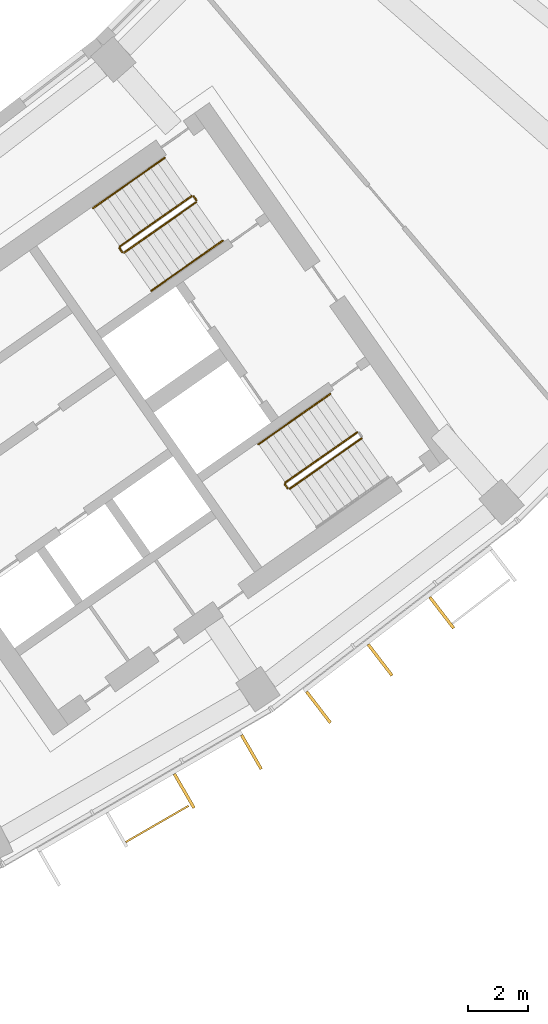
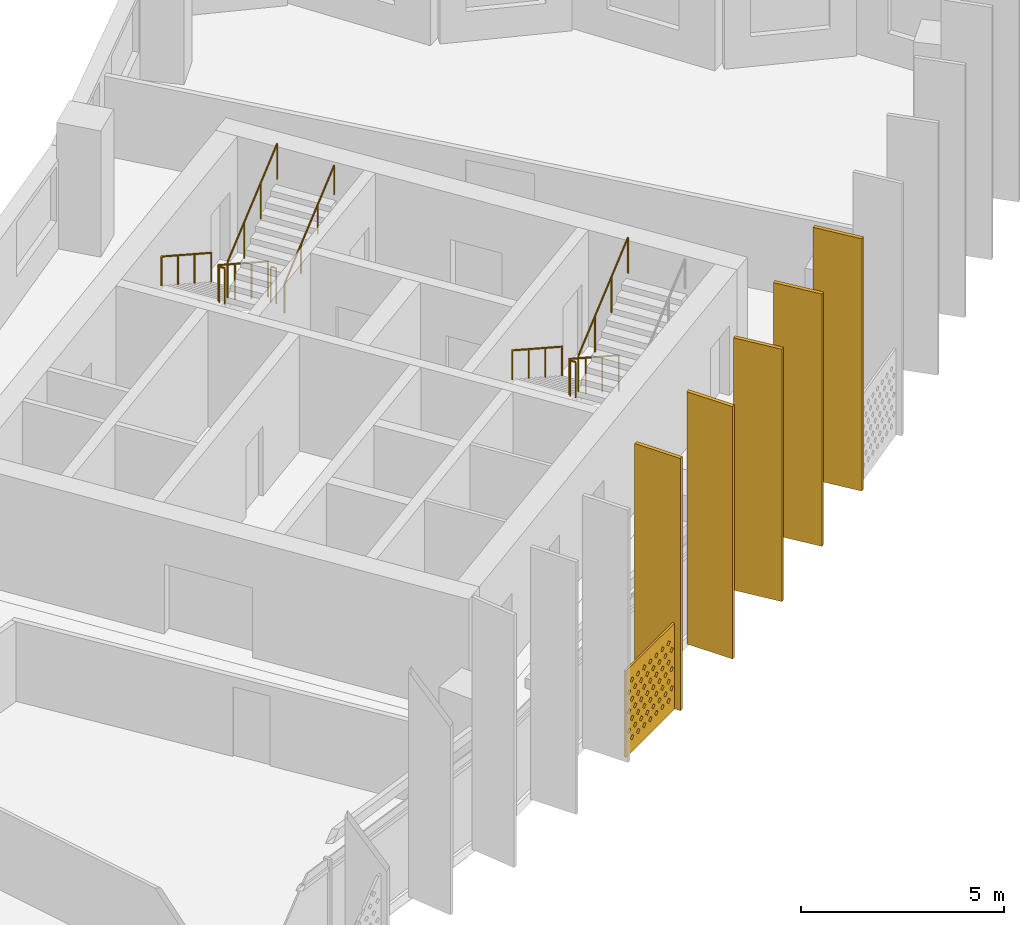
# One storey, part 27 of 28: 8 railings, 6 shading devices.
"""IFC4 building model written with IfcOpenShell, lengths in metres."""

import ifcopenshell
import ifcopenshell.guid

model = None  # the IFC model being written
_history = None  # IfcOwnerHistory: only IFC2X3 demands one
_inside = {}  # id of a spatial element -> (the spatial element, [elements in it])
_under = {}  # id of a project, library or spatial element -> (it, [spatial elements below it])
_declared = {}  # id of a project -> (the project, [libraries it declares])
_typed = {}  # id of a type object -> (the type object, [elements of that type])
_made_of = {}  # id of a material, layer set ... -> (it, [elements and type objects made of it])


def new_model(schema):
    """Start an empty IFC model of exactly this schema.

    Asked for "IFC4X3", IfcOpenShell would pick the latest addendum, in which some entities
    have other attributes; the version numbers below select the first issue.
    IFC2X3 requires an IfcOwnerHistory on every rooted entity: one is made here for all.
    """
    global model, _history
    if schema == "IFC4X3":
        model = ifcopenshell.file(schema_version=(4, 3, 0, 0))
    else:
        model = ifcopenshell.file(schema=schema)
    _inside.clear()
    _under.clear()
    _declared.clear()
    _typed.clear()
    _made_of.clear()
    _history = None
    if model.schema == "IFC2X3":
        org = make("IfcOrganization", Name="unknown")
        user = make(
            "IfcPersonAndOrganization",
            ThePerson=make("IfcPerson", FamilyName="unknown"),
            TheOrganization=org,
        )
        app = make(
            "IfcApplication",
            ApplicationDeveloper=org,
            Version="unknown",
            ApplicationFullName="unknown",
            ApplicationIdentifier="unknown",
        )
        _history = make(
            "IfcOwnerHistory",
            OwningUser=user,
            OwningApplication=app,
            ChangeAction="ADDED",
            CreationDate=0,
        )
    return model


def make(cls, **values):
    """One entity of the class cls with the attributes given. An attribute that is None is left unset."""
    return model.create_entity(
        cls, **{name: value for name, value in values.items() if value is not None}
    )


def rooted(cls, **values):
    """An entity with a GlobalId (a new one), such as an element, a storey or a relation."""
    return make(cls, GlobalId=ifcopenshell.guid.new(), OwnerHistory=_history, **values)


def si_unit(unit_type, name, prefix=None):
    """IfcSIUnit, for example si_unit("LENGTHUNIT", "METRE", prefix="MILLI")."""
    return make("IfcSIUnit", UnitType=unit_type, Prefix=prefix, Name=name)


def assignment(units):
    """IfcUnitAssignment: the units of a project."""
    return None if units is None else make("IfcUnitAssignment", Units=units)


def point(xyz):
    """IfcCartesianPoint."""
    return None if xyz is None else make("IfcCartesianPoint", Coordinates=xyz)


def direction(xyz):
    """IfcDirection."""
    return None if xyz is None else make("IfcDirection", DirectionRatios=xyz)


def frame(location, z_axis=None, x_axis=None):
    """IfcAxis2Placement3D, a coordinate frame: its origin and axes. An axis left out is left unset."""
    return make(
        "IfcAxis2Placement3D",
        Location=point(location),
        Axis=direction(z_axis),
        RefDirection=direction(x_axis),
    )


def frame_2d(location, x_axis=None):
    """IfcAxis2Placement2D, a coordinate frame in the plane: its origin and x axis."""
    return make(
        "IfcAxis2Placement2D", Location=point(location), RefDirection=direction(x_axis)
    )


def origin():
    """The frame at (0, 0, 0) with its axes left unset."""
    return frame((0.0, 0.0, 0.0))


def origin_2d():
    """The frame at (0, 0) in the plane with its x axis left unset."""
    return frame_2d((0.0, 0.0))


def place(relative_to, where):
    """IfcLocalPlacement: puts the frame where relative to a parent placement (None: the world)."""
    return make(
        "IfcLocalPlacement", PlacementRelTo=relative_to, RelativePlacement=where
    )


def context(
    kind, dimensions, precision=None, world=None, true_north=None, identifier=None
):
    """IfcGeometricRepresentationContext, for example the 3D "Model" context."""
    return make(
        "IfcGeometricRepresentationContext",
        ContextIdentifier=identifier,
        ContextType=kind,
        CoordinateSpaceDimension=dimensions,
        Precision=precision,
        WorldCoordinateSystem=world,
        TrueNorth=true_north,
    )


def subcontext(parent, identifier, kind, view, scale=None):
    """IfcGeometricRepresentationSubContext, for example "Body" below "Model"."""
    return make(
        "IfcGeometricRepresentationSubContext",
        ContextIdentifier=identifier,
        ContextType=kind,
        ParentContext=parent,
        TargetScale=scale,
        TargetView=view,
    )


def project(units=None, contexts=None):
    """IfcProject with its units and contexts."""
    return rooted(
        "IfcProject",
        Name="project",
        RepresentationContexts=contexts,
        UnitsInContext=assignment(units),
    )


def spatial(cls, under=None, at=None, **own):
    """A site, building, storey or space (cls), placed at a placement, below another one or the project."""
    s = rooted(cls, ObjectPlacement=at, **own)
    if under is not None:
        _under.setdefault(under.id(), (under, []))[1].append(s)
    return s


def polyline(points):
    """IfcPolyline through the points."""
    return make("IfcPolyline", Points=[point(p) for p in points])


def profile(cls, at=None, kind="AREA", **sizes):
    """A parametric profile (cls). Its sizes go by their IFC names, for example OverallWidth=200.0."""
    return make(cls, ProfileType=kind, Position=at, **sizes)


def rectangle(**sizes):
    """IfcRectangleProfileDef."""
    return profile("IfcRectangleProfileDef", **sizes)


def circle(**sizes):
    """IfcCircleProfileDef."""
    return profile("IfcCircleProfileDef", **sizes)


def outline(outer, holes=None, kind="AREA"):
    """IfcArbitraryClosedProfileDef: a profile drawn as a closed curve; with holes, ...WithVoids."""
    if holes is None:
        return make("IfcArbitraryClosedProfileDef", ProfileType=kind, OuterCurve=outer)
    return make(
        "IfcArbitraryProfileDefWithVoids",
        ProfileType=kind,
        OuterCurve=outer,
        InnerCurves=holes,
    )


def extrude(swept, where, along, depth):
    """IfcExtrudedAreaSolid: the profile swept, set in the frame where, extruded along a direction by depth."""
    return make(
        "IfcExtrudedAreaSolid",
        SweptArea=swept,
        Position=where,
        ExtrudedDirection=direction(along),
        Depth=depth,
    )


def shape(context_of_items, identifier, shape_type, items):
    """IfcShapeRepresentation: the items that make up one representation, for example the "Body"."""
    return make(
        "IfcShapeRepresentation",
        ContextOfItems=context_of_items,
        RepresentationIdentifier=identifier,
        RepresentationType=shape_type,
        Items=items,
    )


def material(Name=None, Category=None):
    """IfcMaterial."""
    return make("IfcMaterial", Name=Name, Category=Category)


def material_profile(
    of_material, cross_section, Name=None, Category=None, Priority=None
):
    """IfcMaterialProfile: a cross section and its material."""
    return make(
        "IfcMaterialProfile",
        Name=Name,
        Material=of_material,
        Profile=cross_section,
        Priority=Priority,
        Category=Category,
    )


def profile_set(profiles, Name=None, composite=None):
    """IfcMaterialProfileSet."""
    return make(
        "IfcMaterialProfileSet",
        Name=Name,
        MaterialProfiles=profiles,
        CompositeProfile=composite,
    )


def made_of(thing, what):
    """Note that an element or type object is made of a material, layer set ...; save() writes the relation."""
    if what is not None:
        _made_of.setdefault(what.id(), (what, []))[1].append(thing)
    return thing


def type_object(cls, material=None, **own):
    """A type object (cls), such as IfcWallType, which elements share."""
    return made_of(rooted(cls, **own), material)


def element(
    cls,
    number,
    at=None,
    inside=None,
    cuts=None,
    type_object=None,
    material=None,
    context=None,
    identifier="Body",
    shape_type=None,
    held_by="IfcProductDefinitionShape",
    body=None,
    shapes=None,
    **own,
):
    """One element of the class cls, such as IfcWall. Its Tag is "e" and its number.

    at: its placement. inside: the storey or other place that contains it. cuts: it is an
    opening in that element (IfcRelVoidsElement). A single representation is given by context,
    identifier, shape_type and body (its items); several are given by shapes. held_by: the class
    of the entity that holds the representations. save() writes the other relations.
    """
    e = rooted(cls, Tag="e%d" % number, ObjectPlacement=at, **own)
    if body is not None:
        shapes = [shape(context, identifier, shape_type, body)]
    if shapes is not None:
        e.Representation = make(held_by, Representations=shapes)
    if inside is not None:
        _inside.setdefault(inside.id(), (inside, []))[1].append(e)
    if cuts is not None:
        rooted(
            "IfcRelVoidsElement", RelatingBuildingElement=cuts, RelatedOpeningElement=e
        )
    if type_object is not None:
        _typed.setdefault(type_object.id(), (type_object, []))[1].append(e)
    return made_of(e, material)


def aggregate(whole, parts):
    """IfcRelAggregates: a whole, such as a stair, and the parts it consists of."""
    return rooted("IfcRelAggregates", RelatingObject=whole, RelatedObjects=parts)


def save(model, path):
    """Write the relations noted so far, then the file.

    IfcRelAggregates (storeys below a building ...), IfcRelContainedInSpatialStructure (elements
    in a storey), IfcRelDefinesByType, IfcRelAssociatesMaterial and IfcRelDeclares: one each for
    every whole, place, type object, material and project.
    """
    for whole, parts in _under.values():
        aggregate(whole, parts)
    for where, things in _inside.values():
        rooted(
            "IfcRelContainedInSpatialStructure",
            RelatedElements=things,
            RelatingStructure=where,
        )
    for kind, things in _typed.values():
        rooted("IfcRelDefinesByType", RelatedObjects=things, RelatingType=kind)
    for what, things in _made_of.values():
        rooted("IfcRelAssociatesMaterial", RelatedObjects=things, RelatingMaterial=what)
    for by, libraries in _declared.values():
        rooted("IfcRelDeclares", RelatingContext=by, RelatedDefinitions=libraries)
    model.write(path)


model = new_model("IFC4")

# Units and contexts
model_context = context("Model", 3, precision=1e-05, world=origin(), true_north=direction((0.0, 1.0)))
body_context = subcontext(model_context, "Body", "Model", "MODEL_VIEW")
ifc_project = project(units=[si_unit("LENGTHUNIT", "METRE"), si_unit("AREAUNIT", "SQUARE_METRE"), si_unit("VOLUMEUNIT", "CUBIC_METRE"), si_unit("PLANEANGLEUNIT", "RADIAN"), si_unit("MASSUNIT", "GRAM", prefix="KILO")], contexts=[model_context])

# Site, building, storey
site_placement = place(None, origin())
site = spatial("IfcSite", under=ifc_project, at=site_placement, CompositionType="ELEMENT")
building_placement = place(site_placement, origin())
building = spatial("IfcBuilding", under=site, at=building_placement, Name="Qamariyya Broadcast Tower", CompositionType="ELEMENT")
storey_placement = place(building_placement, frame((0.0, 0.0, 241.699951171875)))
storey = spatial("IfcBuildingStorey", under=building, at=storey_placement, Name="L58", CompositionType="ELEMENT", Elevation=241.699951171875)

# Shading device
ifc_material_1 = material(Name="Perforated glazed terracotta", Category="masonry")
ifc_material_profile_1 = material_profile(ifc_material_1, outline(polyline([(-1.199951171875, -1.300048828125), (1.199951171875, -1.300048828125), (1.199951171875, 1.300048828125), (-1.199951171875, 1.300048828125), (-1.199951171875, -1.300048828125)]), holes=[polyline([(-0.81494140625, -0.86669921875), (-0.89990234375, -0.78173828125), (-0.985107421875, -0.86669921875), (-0.89990234375, -0.95166015625), (-0.81494140625, -0.86669921875)]), polyline([(-0.514892578125, -0.86669921875), (-0.60009765625, -0.78173828125), (-0.68505859375, -0.86669921875), (-0.60009765625, -0.95166015625), (-0.514892578125, -0.86669921875)]), polyline([(-0.215087890625, -0.86669921875), (-0.300048828125, -0.78173828125), (-0.385009765625, -0.86669921875), (-0.300048828125, -0.95166015625), (-0.215087890625, -0.86669921875)]), polyline([(0.0849609375, -0.86669921875), (0.0, -0.78173828125), (-0.0849609375, -0.86669921875), (0.0, -0.95166015625), (0.0849609375, -0.86669921875)]), polyline([(0.385009765625, -0.86669921875), (0.300048828125, -0.78173828125), (0.215087890625, -0.86669921875), (0.300048828125, -0.95166015625), (0.385009765625, -0.86669921875)]), polyline([(0.68505859375, -0.86669921875), (0.60009765625, -0.78173828125), (0.514892578125, -0.86669921875), (0.60009765625, -0.95166015625), (0.68505859375, -0.86669921875)]), polyline([(0.985107421875, -0.86669921875), (0.89990234375, -0.78173828125), (0.81494140625, -0.86669921875), (0.89990234375, -0.95166015625), (0.985107421875, -0.86669921875)]), polyline([(-0.965087890625, -0.577880859375), (-1.050048828125, -0.49267578125), (-1.135009765625, -0.577880859375), (-1.050048828125, -0.662841796875), (-0.965087890625, -0.577880859375)]), polyline([(-0.6650390625, -0.577880859375), (-0.75, -0.49267578125), (-0.8349609375, -0.577880859375), (-0.75, -0.662841796875), (-0.6650390625, -0.577880859375)]), polyline([(-0.364990234375, -0.577880859375), (-0.449951171875, -0.49267578125), (-0.534912109375, -0.577880859375), (-0.449951171875, -0.662841796875), (-0.364990234375, -0.577880859375)]), polyline([(-0.06494140625, -0.577880859375), (-0.14990234375, -0.49267578125), (-0.235107421875, -0.577880859375), (-0.14990234375, -0.662841796875), (-0.06494140625, -0.577880859375)]), polyline([(0.235107421875, -0.577880859375), (0.14990234375, -0.49267578125), (0.06494140625, -0.577880859375), (0.14990234375, -0.662841796875), (0.235107421875, -0.577880859375)]), polyline([(0.534912109375, -0.577880859375), (0.449951171875, -0.49267578125), (0.364990234375, -0.577880859375), (0.449951171875, -0.662841796875), (0.534912109375, -0.577880859375)]), polyline([(0.8349609375, -0.577880859375), (0.75, -0.49267578125), (0.6650390625, -0.577880859375), (0.75, -0.662841796875), (0.8349609375, -0.577880859375)]), polyline([(1.135009765625, -0.577880859375), (1.050048828125, -0.49267578125), (0.965087890625, -0.577880859375), (1.050048828125, -0.662841796875), (1.135009765625, -0.577880859375)]), polyline([(-0.81494140625, -0.288818359375), (-0.89990234375, -0.203857421875), (-0.985107421875, -0.288818359375), (-0.89990234375, -0.373779296875), (-0.81494140625, -0.288818359375)]), polyline([(-0.514892578125, -0.288818359375), (-0.60009765625, -0.203857421875), (-0.68505859375, -0.288818359375), (-0.60009765625, -0.373779296875), (-0.514892578125, -0.288818359375)]), polyline([(-0.215087890625, -0.288818359375), (-0.300048828125, -0.203857421875), (-0.385009765625, -0.288818359375), (-0.300048828125, -0.373779296875), (-0.215087890625, -0.288818359375)]), polyline([(0.0849609375, -0.288818359375), (0.0, -0.203857421875), (-0.0849609375, -0.288818359375), (0.0, -0.373779296875), (0.0849609375, -0.288818359375)]), polyline([(0.385009765625, -0.288818359375), (0.300048828125, -0.203857421875), (0.215087890625, -0.288818359375), (0.300048828125, -0.373779296875), (0.385009765625, -0.288818359375)]), polyline([(0.68505859375, -0.288818359375), (0.60009765625, -0.203857421875), (0.514892578125, -0.288818359375), (0.60009765625, -0.373779296875), (0.68505859375, -0.288818359375)]), polyline([(0.985107421875, -0.288818359375), (0.89990234375, -0.203857421875), (0.81494140625, -0.288818359375), (0.89990234375, -0.373779296875), (0.985107421875, -0.288818359375)]), polyline([(-0.965087890625, 0.0), (-1.050048828125, 0.0849609375), (-1.135009765625, 0.0), (-1.050048828125, -0.0849609375), (-0.965087890625, 0.0)]), polyline([(-0.6650390625, 0.0), (-0.75, 0.0849609375), (-0.8349609375, 0.0), (-0.75, -0.0849609375), (-0.6650390625, 0.0)]), polyline([(-0.364990234375, 0.0), (-0.449951171875, 0.0849609375), (-0.534912109375, 0.0), (-0.449951171875, -0.0849609375), (-0.364990234375, 0.0)]), polyline([(-0.06494140625, 0.0), (-0.14990234375, 0.0849609375), (-0.235107421875, 0.0), (-0.14990234375, -0.0849609375), (-0.06494140625, 0.0)]), polyline([(0.235107421875, 0.0), (0.14990234375, 0.0849609375), (0.06494140625, 0.0), (0.14990234375, -0.0849609375), (0.235107421875, 0.0)]), polyline([(0.534912109375, 0.0), (0.449951171875, 0.0849609375), (0.364990234375, 0.0), (0.449951171875, -0.0849609375), (0.534912109375, 0.0)]), polyline([(0.8349609375, 0.0), (0.75, 0.0849609375), (0.6650390625, 0.0), (0.75, -0.0849609375), (0.8349609375, 0.0)]), polyline([(1.135009765625, 0.0), (1.050048828125, 0.0849609375), (0.965087890625, 0.0), (1.050048828125, -0.0849609375), (1.135009765625, 0.0)]), polyline([(-0.81494140625, 0.288818359375), (-0.89990234375, 0.373779296875), (-0.985107421875, 0.288818359375), (-0.89990234375, 0.203857421875), (-0.81494140625, 0.288818359375)]), polyline([(-0.514892578125, 0.288818359375), (-0.60009765625, 0.373779296875), (-0.68505859375, 0.288818359375), (-0.60009765625, 0.203857421875), (-0.514892578125, 0.288818359375)]), polyline([(-0.215087890625, 0.288818359375), (-0.300048828125, 0.373779296875), (-0.385009765625, 0.288818359375), (-0.300048828125, 0.203857421875), (-0.215087890625, 0.288818359375)]), polyline([(0.0849609375, 0.288818359375), (0.0, 0.373779296875), (-0.0849609375, 0.288818359375), (0.0, 0.203857421875), (0.0849609375, 0.288818359375)]), polyline([(0.385009765625, 0.288818359375), (0.300048828125, 0.373779296875), (0.215087890625, 0.288818359375), (0.300048828125, 0.203857421875), (0.385009765625, 0.288818359375)]), polyline([(0.68505859375, 0.288818359375), (0.60009765625, 0.373779296875), (0.514892578125, 0.288818359375), (0.60009765625, 0.203857421875), (0.68505859375, 0.288818359375)]), polyline([(0.985107421875, 0.288818359375), (0.89990234375, 0.373779296875), (0.81494140625, 0.288818359375), (0.89990234375, 0.203857421875), (0.985107421875, 0.288818359375)]), polyline([(-0.965087890625, 0.577880859375), (-1.050048828125, 0.662841796875), (-1.135009765625, 0.577880859375), (-1.050048828125, 0.49267578125), (-0.965087890625, 0.577880859375)]), polyline([(-0.6650390625, 0.577880859375), (-0.75, 0.662841796875), (-0.8349609375, 0.577880859375), (-0.75, 0.49267578125), (-0.6650390625, 0.577880859375)]), polyline([(-0.364990234375, 0.577880859375), (-0.449951171875, 0.662841796875), (-0.534912109375, 0.577880859375), (-0.449951171875, 0.49267578125), (-0.364990234375, 0.577880859375)]), polyline([(-0.06494140625, 0.577880859375), (-0.14990234375, 0.662841796875), (-0.235107421875, 0.577880859375), (-0.14990234375, 0.49267578125), (-0.06494140625, 0.577880859375)]), polyline([(0.235107421875, 0.577880859375), (0.14990234375, 0.662841796875), (0.06494140625, 0.577880859375), (0.14990234375, 0.49267578125), (0.235107421875, 0.577880859375)]), polyline([(0.534912109375, 0.577880859375), (0.449951171875, 0.662841796875), (0.364990234375, 0.577880859375), (0.449951171875, 0.49267578125), (0.534912109375, 0.577880859375)]), polyline([(0.8349609375, 0.577880859375), (0.75, 0.662841796875), (0.6650390625, 0.577880859375), (0.75, 0.49267578125), (0.8349609375, 0.577880859375)]), polyline([(1.135009765625, 0.577880859375), (1.050048828125, 0.662841796875), (0.965087890625, 0.577880859375), (1.050048828125, 0.49267578125), (1.135009765625, 0.577880859375)]), polyline([(-0.81494140625, 0.86669921875), (-0.89990234375, 0.95166015625), (-0.985107421875, 0.86669921875), (-0.89990234375, 0.78173828125), (-0.81494140625, 0.86669921875)]), polyline([(-0.514892578125, 0.86669921875), (-0.60009765625, 0.95166015625), (-0.68505859375, 0.86669921875), (-0.60009765625, 0.78173828125), (-0.514892578125, 0.86669921875)]), polyline([(-0.215087890625, 0.86669921875), (-0.300048828125, 0.95166015625), (-0.385009765625, 0.86669921875), (-0.300048828125, 0.78173828125), (-0.215087890625, 0.86669921875)]), polyline([(0.0849609375, 0.86669921875), (0.0, 0.95166015625), (-0.0849609375, 0.86669921875), (0.0, 0.78173828125), (0.0849609375, 0.86669921875)]), polyline([(0.385009765625, 0.86669921875), (0.300048828125, 0.95166015625), (0.215087890625, 0.86669921875), (0.300048828125, 0.78173828125), (0.385009765625, 0.86669921875)]), polyline([(0.68505859375, 0.86669921875), (0.60009765625, 0.95166015625), (0.514892578125, 0.86669921875), (0.60009765625, 0.78173828125), (0.68505859375, 0.86669921875)]), polyline([(0.985107421875, 0.86669921875), (0.89990234375, 0.95166015625), (0.81494140625, 0.86669921875), (0.89990234375, 0.78173828125), (0.985107421875, 0.86669921875)])]))
ifc_profile_set_1 = profile_set([ifc_material_profile_1], Name="Perforated glazed terracotta")
shading_device_type_1 = type_object("IfcShadingDeviceType", Name="Perforated terracotta screen 2400 x 2600", PredefinedType="USERDEFINED", material=ifc_profile_set_1)
shading_device_placement = place(storey_placement, frame((39.8447265625, -69.0849609375, 1.35009765625), z_axis=(0.500074377092, -0.865982457891, 0.0), x_axis=(0.865982457891, 0.500074377092, 0.0)))
element("IfcShadingDevice", 1, at=shading_device_placement, inside=storey, type_object=shading_device_type_1, Name="e-scr-L58-12-1", ObjectType="SCREEN", PredefinedType="USERDEFINED", context=body_context, shape_type="SweptSolid", body=[
    extrude(outline(polyline([(-1.199951171875, -1.300048828125), (1.199951171875, -1.300048828125), (1.199951171875, 1.300048828125), (-1.199951171875, 1.300048828125), (-1.199951171875, -1.300048828125)]), holes=[polyline([(-0.81494140625, -0.86669921875), (-0.89990234375, -0.78173828125), (-0.985107421875, -0.86669921875), (-0.89990234375, -0.95166015625), (-0.81494140625, -0.86669921875)]), polyline([(-0.514892578125, -0.86669921875), (-0.60009765625, -0.78173828125), (-0.68505859375, -0.86669921875), (-0.60009765625, -0.95166015625), (-0.514892578125, -0.86669921875)]), polyline([(-0.215087890625, -0.86669921875), (-0.300048828125, -0.78173828125), (-0.385009765625, -0.86669921875), (-0.300048828125, -0.95166015625), (-0.215087890625, -0.86669921875)]), polyline([(0.0849609375, -0.86669921875), (0.0, -0.78173828125), (-0.0849609375, -0.86669921875), (0.0, -0.95166015625), (0.0849609375, -0.86669921875)]), polyline([(0.385009765625, -0.86669921875), (0.300048828125, -0.78173828125), (0.215087890625, -0.86669921875), (0.300048828125, -0.95166015625), (0.385009765625, -0.86669921875)]), polyline([(0.68505859375, -0.86669921875), (0.60009765625, -0.78173828125), (0.514892578125, -0.86669921875), (0.60009765625, -0.95166015625), (0.68505859375, -0.86669921875)]), polyline([(0.985107421875, -0.86669921875), (0.89990234375, -0.78173828125), (0.81494140625, -0.86669921875), (0.89990234375, -0.95166015625), (0.985107421875, -0.86669921875)]), polyline([(-0.965087890625, -0.577880859375), (-1.050048828125, -0.49267578125), (-1.135009765625, -0.577880859375), (-1.050048828125, -0.662841796875), (-0.965087890625, -0.577880859375)]), polyline([(-0.6650390625, -0.577880859375), (-0.75, -0.49267578125), (-0.8349609375, -0.577880859375), (-0.75, -0.662841796875), (-0.6650390625, -0.577880859375)]), polyline([(-0.364990234375, -0.577880859375), (-0.449951171875, -0.49267578125), (-0.534912109375, -0.577880859375), (-0.449951171875, -0.662841796875), (-0.364990234375, -0.577880859375)]), polyline([(-0.06494140625, -0.577880859375), (-0.14990234375, -0.49267578125), (-0.235107421875, -0.577880859375), (-0.14990234375, -0.662841796875), (-0.06494140625, -0.577880859375)]), polyline([(0.235107421875, -0.577880859375), (0.14990234375, -0.49267578125), (0.06494140625, -0.577880859375), (0.14990234375, -0.662841796875), (0.235107421875, -0.577880859375)]), polyline([(0.534912109375, -0.577880859375), (0.449951171875, -0.49267578125), (0.364990234375, -0.577880859375), (0.449951171875, -0.662841796875), (0.534912109375, -0.577880859375)]), polyline([(0.8349609375, -0.577880859375), (0.75, -0.49267578125), (0.6650390625, -0.577880859375), (0.75, -0.662841796875), (0.8349609375, -0.577880859375)]), polyline([(1.135009765625, -0.577880859375), (1.050048828125, -0.49267578125), (0.965087890625, -0.577880859375), (1.050048828125, -0.662841796875), (1.135009765625, -0.577880859375)]), polyline([(-0.81494140625, -0.288818359375), (-0.89990234375, -0.203857421875), (-0.985107421875, -0.288818359375), (-0.89990234375, -0.373779296875), (-0.81494140625, -0.288818359375)]), polyline([(-0.514892578125, -0.288818359375), (-0.60009765625, -0.203857421875), (-0.68505859375, -0.288818359375), (-0.60009765625, -0.373779296875), (-0.514892578125, -0.288818359375)]), polyline([(-0.215087890625, -0.288818359375), (-0.300048828125, -0.203857421875), (-0.385009765625, -0.288818359375), (-0.300048828125, -0.373779296875), (-0.215087890625, -0.288818359375)]), polyline([(0.0849609375, -0.288818359375), (0.0, -0.203857421875), (-0.0849609375, -0.288818359375), (0.0, -0.373779296875), (0.0849609375, -0.288818359375)]), polyline([(0.385009765625, -0.288818359375), (0.300048828125, -0.203857421875), (0.215087890625, -0.288818359375), (0.300048828125, -0.373779296875), (0.385009765625, -0.288818359375)]), polyline([(0.68505859375, -0.288818359375), (0.60009765625, -0.203857421875), (0.514892578125, -0.288818359375), (0.60009765625, -0.373779296875), (0.68505859375, -0.288818359375)]), polyline([(0.985107421875, -0.288818359375), (0.89990234375, -0.203857421875), (0.81494140625, -0.288818359375), (0.89990234375, -0.373779296875), (0.985107421875, -0.288818359375)]), polyline([(-0.965087890625, 0.0), (-1.050048828125, 0.0849609375), (-1.135009765625, 0.0), (-1.050048828125, -0.0849609375), (-0.965087890625, 0.0)]), polyline([(-0.6650390625, 0.0), (-0.75, 0.0849609375), (-0.8349609375, 0.0), (-0.75, -0.0849609375), (-0.6650390625, 0.0)]), polyline([(-0.364990234375, 0.0), (-0.449951171875, 0.0849609375), (-0.534912109375, 0.0), (-0.449951171875, -0.0849609375), (-0.364990234375, 0.0)]), polyline([(-0.06494140625, 0.0), (-0.14990234375, 0.0849609375), (-0.235107421875, 0.0), (-0.14990234375, -0.0849609375), (-0.06494140625, 0.0)]), polyline([(0.235107421875, 0.0), (0.14990234375, 0.0849609375), (0.06494140625, 0.0), (0.14990234375, -0.0849609375), (0.235107421875, 0.0)]), polyline([(0.534912109375, 0.0), (0.449951171875, 0.0849609375), (0.364990234375, 0.0), (0.449951171875, -0.0849609375), (0.534912109375, 0.0)]), polyline([(0.8349609375, 0.0), (0.75, 0.0849609375), (0.6650390625, 0.0), (0.75, -0.0849609375), (0.8349609375, 0.0)]), polyline([(1.135009765625, 0.0), (1.050048828125, 0.0849609375), (0.965087890625, 0.0), (1.050048828125, -0.0849609375), (1.135009765625, 0.0)]), polyline([(-0.81494140625, 0.288818359375), (-0.89990234375, 0.373779296875), (-0.985107421875, 0.288818359375), (-0.89990234375, 0.203857421875), (-0.81494140625, 0.288818359375)]), polyline([(-0.514892578125, 0.288818359375), (-0.60009765625, 0.373779296875), (-0.68505859375, 0.288818359375), (-0.60009765625, 0.203857421875), (-0.514892578125, 0.288818359375)]), polyline([(-0.215087890625, 0.288818359375), (-0.300048828125, 0.373779296875), (-0.385009765625, 0.288818359375), (-0.300048828125, 0.203857421875), (-0.215087890625, 0.288818359375)]), polyline([(0.0849609375, 0.288818359375), (0.0, 0.373779296875), (-0.0849609375, 0.288818359375), (0.0, 0.203857421875), (0.0849609375, 0.288818359375)]), polyline([(0.385009765625, 0.288818359375), (0.300048828125, 0.373779296875), (0.215087890625, 0.288818359375), (0.300048828125, 0.203857421875), (0.385009765625, 0.288818359375)]), polyline([(0.68505859375, 0.288818359375), (0.60009765625, 0.373779296875), (0.514892578125, 0.288818359375), (0.60009765625, 0.203857421875), (0.68505859375, 0.288818359375)]), polyline([(0.985107421875, 0.288818359375), (0.89990234375, 0.373779296875), (0.81494140625, 0.288818359375), (0.89990234375, 0.203857421875), (0.985107421875, 0.288818359375)]), polyline([(-0.965087890625, 0.577880859375), (-1.050048828125, 0.662841796875), (-1.135009765625, 0.577880859375), (-1.050048828125, 0.49267578125), (-0.965087890625, 0.577880859375)]), polyline([(-0.6650390625, 0.577880859375), (-0.75, 0.662841796875), (-0.8349609375, 0.577880859375), (-0.75, 0.49267578125), (-0.6650390625, 0.577880859375)]), polyline([(-0.364990234375, 0.577880859375), (-0.449951171875, 0.662841796875), (-0.534912109375, 0.577880859375), (-0.449951171875, 0.49267578125), (-0.364990234375, 0.577880859375)]), polyline([(-0.06494140625, 0.577880859375), (-0.14990234375, 0.662841796875), (-0.235107421875, 0.577880859375), (-0.14990234375, 0.49267578125), (-0.06494140625, 0.577880859375)]), polyline([(0.235107421875, 0.577880859375), (0.14990234375, 0.662841796875), (0.06494140625, 0.577880859375), (0.14990234375, 0.49267578125), (0.235107421875, 0.577880859375)]), polyline([(0.534912109375, 0.577880859375), (0.449951171875, 0.662841796875), (0.364990234375, 0.577880859375), (0.449951171875, 0.49267578125), (0.534912109375, 0.577880859375)]), polyline([(0.8349609375, 0.577880859375), (0.75, 0.662841796875), (0.6650390625, 0.577880859375), (0.75, 0.49267578125), (0.8349609375, 0.577880859375)]), polyline([(1.135009765625, 0.577880859375), (1.050048828125, 0.662841796875), (0.965087890625, 0.577880859375), (1.050048828125, 0.49267578125), (1.135009765625, 0.577880859375)]), polyline([(-0.81494140625, 0.86669921875), (-0.89990234375, 0.95166015625), (-0.985107421875, 0.86669921875), (-0.89990234375, 0.78173828125), (-0.81494140625, 0.86669921875)]), polyline([(-0.514892578125, 0.86669921875), (-0.60009765625, 0.95166015625), (-0.68505859375, 0.86669921875), (-0.60009765625, 0.78173828125), (-0.514892578125, 0.86669921875)]), polyline([(-0.215087890625, 0.86669921875), (-0.300048828125, 0.95166015625), (-0.385009765625, 0.86669921875), (-0.300048828125, 0.78173828125), (-0.215087890625, 0.86669921875)]), polyline([(0.0849609375, 0.86669921875), (0.0, 0.95166015625), (-0.0849609375, 0.86669921875), (0.0, 0.78173828125), (0.0849609375, 0.86669921875)]), polyline([(0.385009765625, 0.86669921875), (0.300048828125, 0.95166015625), (0.215087890625, 0.86669921875), (0.300048828125, 0.78173828125), (0.385009765625, 0.86669921875)]), polyline([(0.68505859375, 0.86669921875), (0.60009765625, 0.95166015625), (0.514892578125, 0.86669921875), (0.60009765625, 0.78173828125), (0.68505859375, 0.86669921875)]), polyline([(0.985107421875, 0.86669921875), (0.89990234375, 0.95166015625), (0.81494140625, 0.86669921875), (0.89990234375, 0.78173828125), (0.985107421875, 0.86669921875)])]), origin(), (0.0, 0.0, 1.0), 0.06005859375),
])

# Railings
ifc_material_2 = material(Name="Painted steel", Category="steel")
railing_type_1 = type_object("IfcRailingType", Name="Stair guard", PredefinedType="GUARDRAIL", material=ifc_material_2)
railing_1_placement = place(storey_placement, frame((41.003173828125, -48.320068359375, 0.1728515625)))
element("IfcRailing", 2, at=railing_1_placement, inside=storey, type_object=railing_type_1, Name="L58 ST-E2 stair guard 1", PredefinedType="GUARDRAIL", context=body_context, shape_type="SweptSolid", body=[
    extrude(circle(Radius=0.02392578125, at=origin_2d()), frame((0.0, 0.0, 1.076171875), z_axis=(-0.703770094002, -0.492783725636, 0.511734163933), x_axis=(0.573575343427, -0.819152809562, 0.0)), (0.0, 0.0, 1.0), 3.37548828125),
    extrude(circle(Radius=0.02392578125, at=origin_2d()), frame((-2.37548828125, -1.663330078125, 2.80322265625), z_axis=(-0.172799478008, -0.984957024646, 0.0), x_axis=(0.984957024646, -0.172799478008, 0.0)), (0.0, 0.0, 1.0), 0.070556640625),
    extrude(circle(Radius=0.02392578125, at=origin_2d()), frame((-2.3876953125, -1.73291015625, 2.80322265625), z_axis=(0.572588637393, -0.819842821722, 0.0), x_axis=(0.819842821722, 0.572588637393, 0.0)), (0.0, 0.0, 1.0), 0.150146484375),
    extrude(circle(Radius=0.02099609375, at=origin_2d()), origin(), (0.0, 0.0, 1.0), 1.052001953125),
    extrude(circle(Radius=0.02099609375, at=origin_2d()), frame((-0.791748046875, -0.554443359375, 0.57568359375)), (0.0, 0.0, 1.0), 1.052001953125),
    extrude(circle(Radius=0.02099609375, at=origin_2d()), frame((-1.583740234375, -1.10888671875, 1.151611328125)), (0.0, 0.0, 1.0), 1.052001953125),
    extrude(circle(Radius=0.02099609375, at=origin_2d()), frame((-2.37548828125, -1.663330078125, 1.727294921875)), (0.0, 0.0, 1.0), 1.052001953125),
    extrude(circle(Radius=0.02099609375, at=origin_2d()), frame((-2.3876953125, -1.73291015625, 1.727294921875)), (0.0, 0.0, 1.0), 1.052001953125),
    extrude(circle(Radius=0.02099609375, at=origin_2d()), frame((-2.3017578125, -1.85595703125, 1.727294921875)), (0.0, 0.0, 1.0), 1.052001953125),
])
railing_2_placement = place(storey_placement, frame((38.771240234375, -50.188232421875, 2.07275390625)))
element("IfcRailing", 3, at=railing_2_placement, inside=storey, type_object=railing_type_1, Name="L58 ST-E2 stair guard 2", PredefinedType="GUARDRAIL", context=body_context, shape_type="SweptSolid", body=[
    extrude(circle(Radius=0.02392578125, at=origin_2d()), frame((0.0, 0.0, 1.076171875), z_axis=(0.703770094002, 0.492783725636, 0.511734163933), x_axis=(-0.573575343427, 0.819152809562, 0.0)), (0.0, 0.0, 1.0), 3.37548828125),
    extrude(circle(Radius=0.02099609375, at=origin_2d()), origin(), (0.0, 0.0, 1.0), 1.052001953125),
    extrude(circle(Radius=0.02099609375, at=origin_2d()), frame((0.791748046875, 0.554443359375, 0.57568359375)), (0.0, 0.0, 1.0), 1.052001953125),
    extrude(circle(Radius=0.02099609375, at=origin_2d()), frame((1.583740234375, 1.10888671875, 1.151611328125)), (0.0, 0.0, 1.0), 1.052001953125),
    extrude(circle(Radius=0.02099609375, at=origin_2d()), frame((2.37548828125, 1.663330078125, 1.727294921875)), (0.0, 0.0, 1.0), 1.052001953125),
])
railing_3_placement = place(storey_placement, frame((41.072998046875, -48.332275390625, 0.0)))
element("IfcRailing", 4, at=railing_3_placement, inside=storey, type_object=railing_type_1, Name="L58 ST-E2 stair guard 3", PredefinedType="GUARDRAIL", context=body_context, shape_type="SweptSolid", body=[
    extrude(circle(Radius=0.02392578125, at=origin_2d()), frame((0.0, 0.0, 1.076171875), z_axis=(0.572588637393, -0.819842821722, 0.0), x_axis=(0.819842821722, 0.572588637393, 0.0)), (0.0, 0.0, 1.0), 0.150146484375),
    extrude(circle(Radius=0.02099609375, at=origin_2d()), origin(), (0.0, 0.0, 1.0), 1.052001953125),
    extrude(circle(Radius=0.02099609375, at=origin_2d()), frame((0.0859375, -0.123046875, 0.0)), (0.0, 0.0, 1.0), 1.052001953125),
])
railing_4_placement = place(storey_placement, frame((46.48095703125, -56.14306640625, 0.1728515625)))
element("IfcRailing", 5, at=railing_4_placement, inside=storey, type_object=railing_type_1, Name="L58 ST-E1 stair guard 1", PredefinedType="GUARDRAIL", context=body_context, shape_type="SweptSolid", body=[
    extrude(circle(Radius=0.02392578125, at=origin_2d()), frame((0.0, 0.0, 1.076171875), z_axis=(-0.703770094002, -0.492783725636, 0.511734163933), x_axis=(0.573575343427, -0.819152809562, 0.0)), (0.0, 0.0, 1.0), 3.37548828125),
    extrude(circle(Radius=0.02392578125, at=origin_2d()), frame((-2.37548828125, -1.663330078125, 2.80322265625), z_axis=(-0.176149252506, -0.984363469884, 0.0), x_axis=(0.984363469884, -0.176149252506, 0.0)), (0.0, 0.0, 1.0), 0.07080078125),
    extrude(circle(Radius=0.02392578125, at=origin_2d()), frame((-2.387939453125, -1.73291015625, 2.80322265625), z_axis=(0.574444878118, -0.818543268254, 0.0), x_axis=(0.818543268254, 0.574444878118, 0.0)), (0.0, 0.0, 1.0), 0.150146484375),
    extrude(circle(Radius=0.02099609375, at=origin_2d()), origin(), (0.0, 0.0, 1.0), 1.052001953125),
    extrude(circle(Radius=0.02099609375, at=origin_2d()), frame((-0.791748046875, -0.554443359375, 0.57568359375)), (0.0, 0.0, 1.0), 1.052001953125),
    extrude(circle(Radius=0.02099609375, at=origin_2d()), frame((-1.583740234375, -1.10888671875, 1.151611328125)), (0.0, 0.0, 1.0), 1.052001953125),
    extrude(circle(Radius=0.02099609375, at=origin_2d()), frame((-2.37548828125, -1.663330078125, 1.727294921875)), (0.0, 0.0, 1.0), 1.052001953125),
    extrude(circle(Radius=0.02099609375, at=origin_2d()), frame((-2.387939453125, -1.73291015625, 1.727294921875)), (0.0, 0.0, 1.0), 1.052001953125),
    extrude(circle(Radius=0.02099609375, at=origin_2d()), frame((-2.3017578125, -1.855712890625, 1.727294921875)), (0.0, 0.0, 1.0), 1.052001953125),
])
railing_5_placement = place(storey_placement, frame((44.248779296875, -58.01123046875, 2.07275390625)))
element("IfcRailing", 6, at=railing_5_placement, inside=storey, type_object=railing_type_1, Name="L58 ST-E1 stair guard 2", PredefinedType="GUARDRAIL", context=body_context, shape_type="SweptSolid", body=[
    extrude(circle(Radius=0.02392578125, at=origin_2d()), frame((0.0, 0.0, 1.076171875), z_axis=(0.703745009021, 0.492838488332, 0.511715923826), x_axis=(-0.573631830683, 0.819113253969, 0.0)), (0.0, 0.0, 1.0), 3.37548828125),
    extrude(circle(Radius=0.02099609375, at=origin_2d()), origin(), (0.0, 0.0, 1.0), 1.052001953125),
    extrude(circle(Radius=0.02099609375, at=origin_2d()), frame((0.791748046875, 0.554443359375, 0.57568359375)), (0.0, 0.0, 1.0), 1.052001953125),
    extrude(circle(Radius=0.02099609375, at=origin_2d()), frame((1.583740234375, 1.109130859375, 1.151611328125)), (0.0, 0.0, 1.0), 1.052001953125),
    extrude(circle(Radius=0.02099609375, at=origin_2d()), frame((2.37548828125, 1.66357421875, 1.727294921875)), (0.0, 0.0, 1.0), 1.052001953125),
])
ifc_material_3 = material(Name="Stainless steel", Category="steel")
railing_type_2 = type_object("IfcRailingType", Name="Stair handrail", PredefinedType="HANDRAIL", material=ifc_material_3)
railing_6_placement = place(storey_placement, frame((40.1142578125, -47.05029296875, 0.1728515625)))
element("IfcRailing", 7, at=railing_6_placement, inside=storey, type_object=railing_type_2, Name="L58 ST-E2 stair handrail 1", PredefinedType="HANDRAIL", context=body_context, shape_type="SweptSolid", body=[
    extrude(circle(Radius=0.02392578125, at=origin_2d()), frame((0.0, 0.0, 0.8759765625), z_axis=(-0.703745009021, -0.492838488332, 0.511715923826), x_axis=(0.573631830683, -0.819113253969, 0.0)), (0.0, 0.0, 1.0), 3.37548828125),
    extrude(circle(Radius=0.02099609375, at=origin_2d()), origin(), (0.0, 0.0, 1.0), 0.851806640625),
    extrude(circle(Radius=0.02099609375, at=origin_2d()), frame((-0.791748046875, -0.554443359375, 0.57568359375)), (0.0, 0.0, 1.0), 0.851806640625),
    extrude(circle(Radius=0.02099609375, at=origin_2d()), frame((-1.583740234375, -1.109130859375, 1.151611328125)), (0.0, 0.0, 1.0), 0.851806640625),
    extrude(circle(Radius=0.02099609375, at=origin_2d()), frame((-2.37548828125, -1.66357421875, 1.727294921875)), (0.0, 0.0, 1.0), 0.851806640625),
])
railing_7_placement = place(storey_placement, frame((39.66015625, -51.4580078125, 2.07275390625)))
element("IfcRailing", 8, at=railing_7_placement, inside=storey, type_object=railing_type_2, Name="L58 ST-E2 stair handrail 2", PredefinedType="HANDRAIL", context=body_context, shape_type="SweptSolid", body=[
    extrude(circle(Radius=0.02392578125, at=origin_2d()), frame((0.0, 0.0, 0.8759765625), z_axis=(0.703745009021, 0.492838488332, 0.511715923826), x_axis=(-0.573631830683, 0.819113253969, 0.0)), (0.0, 0.0, 1.0), 3.37548828125),
    extrude(circle(Radius=0.02099609375, at=origin_2d()), origin(), (0.0, 0.0, 1.0), 0.851806640625),
    extrude(circle(Radius=0.02099609375, at=origin_2d()), frame((0.791748046875, 0.554443359375, 0.57568359375)), (0.0, 0.0, 1.0), 0.851806640625),
    extrude(circle(Radius=0.02099609375, at=origin_2d()), frame((1.583740234375, 1.109130859375, 1.151611328125)), (0.0, 0.0, 1.0), 0.851806640625),
    extrude(circle(Radius=0.02099609375, at=origin_2d()), frame((2.37548828125, 1.66357421875, 1.727294921875)), (0.0, 0.0, 1.0), 0.851806640625),
])
railing_8_placement = place(storey_placement, frame((45.591796875, -54.873291015625, 0.1728515625)))
element("IfcRailing", 9, at=railing_8_placement, inside=storey, type_object=railing_type_2, Name="L58 ST-E1 stair handrail 1", PredefinedType="HANDRAIL", context=body_context, shape_type="SweptSolid", body=[
    extrude(circle(Radius=0.02392578125, at=origin_2d()), frame((0.0, 0.0, 0.8759765625), z_axis=(-0.703770094002, -0.492783725636, 0.511734163933), x_axis=(0.573575343427, -0.819152809562, 0.0)), (0.0, 0.0, 1.0), 3.37548828125),
    extrude(circle(Radius=0.02099609375, at=origin_2d()), origin(), (0.0, 0.0, 1.0), 0.851806640625),
    extrude(circle(Radius=0.02099609375, at=origin_2d()), frame((-0.791748046875, -0.554443359375, 0.57568359375)), (0.0, 0.0, 1.0), 0.851806640625),
    extrude(circle(Radius=0.02099609375, at=origin_2d()), frame((-1.583740234375, -1.10888671875, 1.151611328125)), (0.0, 0.0, 1.0), 0.851806640625),
    extrude(circle(Radius=0.02099609375, at=origin_2d()), frame((-2.37548828125, -1.663330078125, 1.727294921875)), (0.0, 0.0, 1.0), 0.851806640625),
])

# Shading devices
ifc_material_4 = material(Name="Glazed terracotta", Category="masonry")
ifc_material_profile_2 = material_profile(ifc_material_4, rectangle(XDim=1.300048828125, YDim=0.10009765625, at=origin_2d()))
ifc_profile_set_2 = profile_set([ifc_material_profile_2], Name="Glazed terracotta")
shading_device_type_2 = type_object("IfcShadingDeviceType", Name="Terracotta fin 100 x 1300", PredefinedType="USERDEFINED", material=ifc_profile_set_2)
for number, where, z_axis, x_axis, name in (
    (10, (40.75439453125, -68.016845703125, 0.0), (0.0, 0.0, 1.0), (0.5, -0.866025403784, 0.0), "e-fin-L58-12-2"),
    (11, (42.98193359375, -66.73095703125, 0.0), (0.0, 0.0, 1.0), (0.5, -0.866025403784, 0.0), "e-fin-L58-12-3"),
    (12, (45.202880859375, -65.246826171875, 0.0), (0.0, 0.0, 1.0), (0.608761429009, -0.793353340291, 0.0), "e-fin-L58-13-0"),
    (13, (47.243408203125, -63.68115234375, 0.0), (0.0, 0.0, 1.0), (0.608761429009, -0.793353340291, 0.0), "e-fin-L58-13-1"),
    (14, (49.283935546875, -62.115478515625, 0.0), (0.0, 0.0, 1.0), (0.608761429009, -0.793353340291, 0.0), "e-fin-L58-13-2"),
):
    element("IfcShadingDevice", number, at=place(storey_placement, frame(where, z_axis=z_axis, x_axis=x_axis)), inside=storey, type_object=shading_device_type_2, Name=name, ObjectType="FIN", PredefinedType="USERDEFINED", context=body_context, shape_type="SweptSolid", body=[
        extrude(rectangle(XDim=1.300048828125, YDim=0.10009765625, at=origin_2d()), origin(), (0.0, 0.0, 1.0), 7.60009765625),
    ])

save(model, "model.ifc")
